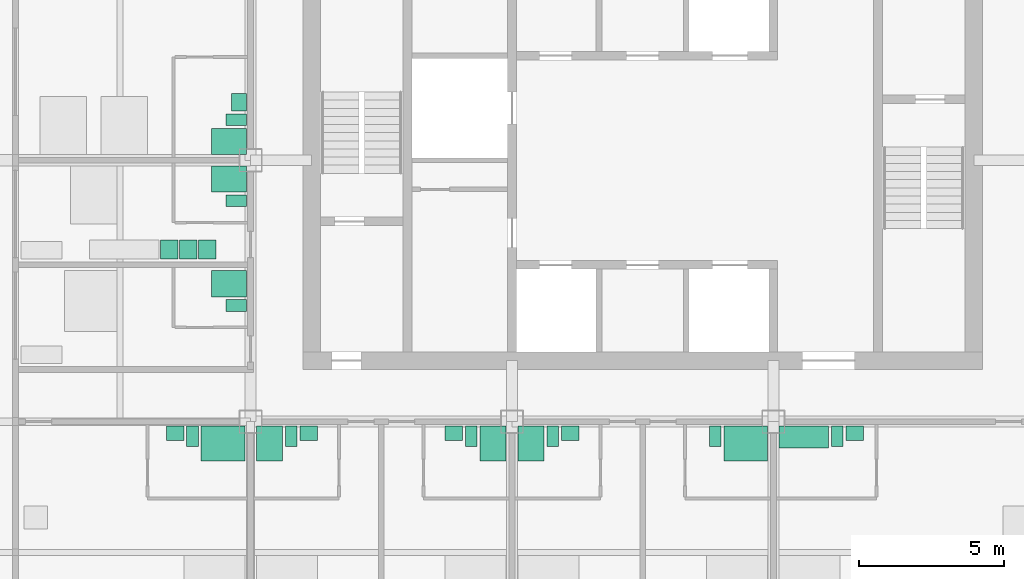
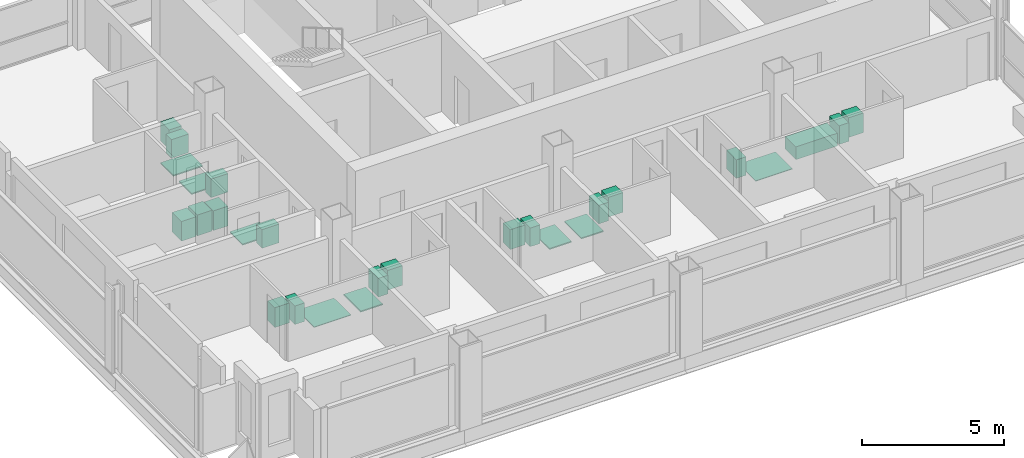
# One storey, part 11 of 12: 24 sanitary terminals, 3 electric appliances.
"""IFC4 building model written with IfcOpenShell, lengths in metres."""

from ifc_helpers import new_model, si_unit, direction, frame, origin, origin_2d, place, context, subcontext, project, spatial, rectangle, extrude, element, save


model = new_model("IFC4")

# Units and contexts
model_context = context("Model", 3, precision=1e-05, world=origin(), true_north=direction((0.0, 1.0)))
body_context = subcontext(model_context, "Body", "Model", "MODEL_VIEW")
ifc_project = project(units=[si_unit("LENGTHUNIT", "METRE"), si_unit("AREAUNIT", "SQUARE_METRE"), si_unit("VOLUMEUNIT", "CUBIC_METRE"), si_unit("PLANEANGLEUNIT", "RADIAN"), si_unit("MASSUNIT", "GRAM", prefix="KILO")], contexts=[model_context])

# Site, building, storey
site_placement = place(None, origin())
site = spatial("IfcSite", under=ifc_project, at=site_placement, CompositionType="ELEMENT")
building_placement = place(site_placement, origin())
building = spatial("IfcBuilding", under=site, at=building_placement, Name="Loomwork Tower", CompositionType="ELEMENT")
storey_placement = place(building_placement, frame((0.0, 0.0, 259.0)))
storey = spatial("IfcBuildingStorey", under=building, at=storey_placement, Name="L71", CompositionType="ELEMENT", Elevation=259.0)

# Sanitary terminals
sanitary_terminal_1_placement = place(storey_placement, frame((8.050048828125, 8.25, 0.0), z_axis=(0.0, 0.0, 1.0), x_axis=(1.0, 0.0, 0.0)))
element("IfcSanitaryTerminal", 1, at=sanitary_terminal_1_placement, inside=storey, Name="Roll-in shower floor L71", PredefinedType="SHOWER", context=body_context, shape_type="SweptSolid", body=[
    extrude(rectangle(XDim=1.5, YDim=1.199951171875, at=origin_2d()), origin(), (0.0, 0.0, 1.0), 0.030029296875),
])
sanitary_terminal_2_placement = place(storey_placement, frame((7.0, 8.5, 0.0), z_axis=(0.0, 0.0, 1.0), x_axis=(1.0, 0.0, 0.0)))
element("IfcSanitaryTerminal", 2, at=sanitary_terminal_2_placement, inside=storey, Name="WC L71", PredefinedType="TOILETPAN", context=body_context, shape_type="SweptSolid", body=[
    extrude(rectangle(XDim=0.39990234375, YDim=0.699951171875, at=origin_2d()), origin(), (0.0, 0.0, 1.0), 0.800048828125),
])
sanitary_terminal_3_placement = place(storey_placement, frame((6.39990234375, 8.60009765625, 0.0), z_axis=(0.0, 0.0, 1.0), x_axis=(1.0, 0.0, 0.0)))
element("IfcSanitaryTerminal", 3, at=sanitary_terminal_3_placement, inside=storey, Name="Basin vanity L71", PredefinedType="WASHHANDBASIN", context=body_context, shape_type="SweptSolid", body=[
    extrude(rectangle(XDim=0.60009765625, YDim=0.5, at=origin_2d()), origin(), (0.0, 0.0, 1.0), 0.85009765625),
])
sanitary_terminal_4_placement = place(storey_placement, frame((9.64990234375, 8.25, 0.0), z_axis=(0.0, 0.0, 1.0), x_axis=(1.0, 0.0, 0.0)))
element("IfcSanitaryTerminal", 4, at=sanitary_terminal_4_placement, inside=storey, Name="Shower tray L71", PredefinedType="SHOWER", context=body_context, shape_type="SweptSolid", body=[
    extrude(rectangle(XDim=0.89990234375, YDim=1.199951171875, at=origin_2d()), origin(), (0.0, 0.0, 1.0), 0.050048828125),
])
sanitary_terminal_5_placement = place(storey_placement, frame((10.39990234375, 8.5, 0.0), z_axis=(0.0, 0.0, 1.0), x_axis=(1.0, 0.0, 0.0)))
element("IfcSanitaryTerminal", 5, at=sanitary_terminal_5_placement, inside=storey, Name="WC L71", PredefinedType="TOILETPAN", context=body_context, shape_type="SweptSolid", body=[
    extrude(rectangle(XDim=0.39990234375, YDim=0.699951171875, at=origin_2d()), origin(), (0.0, 0.0, 1.0), 0.800048828125),
])
sanitary_terminal_6_placement = place(storey_placement, frame((11.0, 8.60009765625, 0.0), z_axis=(0.0, 0.0, 1.0), x_axis=(1.0, 0.0, 0.0)))
element("IfcSanitaryTerminal", 6, at=sanitary_terminal_6_placement, inside=storey, Name="Basin vanity L71", PredefinedType="WASHHANDBASIN", context=body_context, shape_type="SweptSolid", body=[
    extrude(rectangle(XDim=0.60009765625, YDim=0.5, at=origin_2d()), origin(), (0.0, 0.0, 1.0), 0.85009765625),
])
sanitary_terminal_7_placement = place(storey_placement, frame((17.35009765625, 8.25, 0.0), z_axis=(0.0, 0.0, 1.0), x_axis=(1.0, 0.0, 0.0)))
element("IfcSanitaryTerminal", 7, at=sanitary_terminal_7_placement, inside=storey, Name="Shower tray L71", PredefinedType="SHOWER", context=body_context, shape_type="SweptSolid", body=[
    extrude(rectangle(XDim=0.89990234375, YDim=1.199951171875, at=origin_2d()), origin(), (0.0, 0.0, 1.0), 0.050048828125),
])
sanitary_terminal_8_placement = place(storey_placement, frame((16.60009765625, 8.5, 0.0), z_axis=(0.0, 0.0, 1.0), x_axis=(1.0, 0.0, 0.0)))
element("IfcSanitaryTerminal", 8, at=sanitary_terminal_8_placement, inside=storey, Name="WC L71", PredefinedType="TOILETPAN", context=body_context, shape_type="SweptSolid", body=[
    extrude(rectangle(XDim=0.39990234375, YDim=0.699951171875, at=origin_2d()), origin(), (0.0, 0.0, 1.0), 0.800048828125),
])
sanitary_terminal_9_placement = place(storey_placement, frame((16.0, 8.60009765625, 0.0), z_axis=(0.0, 0.0, 1.0), x_axis=(1.0, 0.0, 0.0)))
element("IfcSanitaryTerminal", 9, at=sanitary_terminal_9_placement, inside=storey, Name="Basin vanity L71", PredefinedType="WASHHANDBASIN", context=body_context, shape_type="SweptSolid", body=[
    extrude(rectangle(XDim=0.60009765625, YDim=0.5, at=origin_2d()), origin(), (0.0, 0.0, 1.0), 0.85009765625),
])
sanitary_terminal_10_placement = place(storey_placement, frame((18.64990234375, 8.25, 0.0), z_axis=(0.0, 0.0, 1.0), x_axis=(1.0, 0.0, 0.0)))
element("IfcSanitaryTerminal", 10, at=sanitary_terminal_10_placement, inside=storey, Name="Shower tray L71", PredefinedType="SHOWER", context=body_context, shape_type="SweptSolid", body=[
    extrude(rectangle(XDim=0.89990234375, YDim=1.199951171875, at=origin_2d()), origin(), (0.0, 0.0, 1.0), 0.050048828125),
])
sanitary_terminal_11_placement = place(storey_placement, frame((19.39990234375, 8.5, 0.0), z_axis=(0.0, 0.0, 1.0), x_axis=(1.0, 0.0, 0.0)))
element("IfcSanitaryTerminal", 11, at=sanitary_terminal_11_placement, inside=storey, Name="WC L71", PredefinedType="TOILETPAN", context=body_context, shape_type="SweptSolid", body=[
    extrude(rectangle(XDim=0.39990234375, YDim=0.699951171875, at=origin_2d()), origin(), (0.0, 0.0, 1.0), 0.800048828125),
])
sanitary_terminal_12_placement = place(storey_placement, frame((20.0, 8.60009765625, 0.0), z_axis=(0.0, 0.0, 1.0), x_axis=(1.0, 0.0, 0.0)))
element("IfcSanitaryTerminal", 12, at=sanitary_terminal_12_placement, inside=storey, Name="Basin vanity L71", PredefinedType="WASHHANDBASIN", context=body_context, shape_type="SweptSolid", body=[
    extrude(rectangle(XDim=0.60009765625, YDim=0.5, at=origin_2d()), origin(), (0.0, 0.0, 1.0), 0.85009765625),
])
sanitary_terminal_13_placement = place(storey_placement, frame((26.050048828125, 8.25, 0.0), z_axis=(0.0, 0.0, 1.0), x_axis=(1.0, 0.0, 0.0)))
element("IfcSanitaryTerminal", 13, at=sanitary_terminal_13_placement, inside=storey, Name="Roll-in shower floor L71", PredefinedType="SHOWER", context=body_context, shape_type="SweptSolid", body=[
    extrude(rectangle(XDim=1.5, YDim=1.199951171875, at=origin_2d()), origin(), (0.0, 0.0, 1.0), 0.030029296875),
])
sanitary_terminal_14_placement = place(storey_placement, frame((25.0, 8.5, 0.0), z_axis=(0.0, 0.0, 1.0), x_axis=(1.0, 0.0, 0.0)))
element("IfcSanitaryTerminal", 14, at=sanitary_terminal_14_placement, inside=storey, Name="WC L71", PredefinedType="TOILETPAN", context=body_context, shape_type="SweptSolid", body=[
    extrude(rectangle(XDim=0.39990234375, YDim=0.699951171875, at=origin_2d()), origin(), (0.0, 0.0, 1.0), 0.800048828125),
])
sanitary_terminal_15_placement = place(storey_placement, frame((28.050048828125, 8.47509765625, 0.0), z_axis=(0.0, 0.0, 1.0), x_axis=(1.0, 0.0, 0.0)))
element("IfcSanitaryTerminal", 15, at=sanitary_terminal_15_placement, inside=storey, Name="Bath L71", PredefinedType="BATH", context=body_context, shape_type="SweptSolid", body=[
    extrude(rectangle(XDim=1.699951171875, YDim=0.75, at=origin_2d()), origin(), (0.0, 0.0, 1.0), 0.550048828125),
])
sanitary_terminal_16_placement = place(storey_placement, frame((29.199951171875, 8.5, 0.0), z_axis=(0.0, 0.0, 1.0), x_axis=(1.0, 0.0, 0.0)))
element("IfcSanitaryTerminal", 16, at=sanitary_terminal_16_placement, inside=storey, Name="WC L71", PredefinedType="TOILETPAN", context=body_context, shape_type="SweptSolid", body=[
    extrude(rectangle(XDim=0.39990234375, YDim=0.699951171875, at=origin_2d()), origin(), (0.0, 0.0, 1.0), 0.800048828125),
])
sanitary_terminal_17_placement = place(storey_placement, frame((29.800048828125, 8.60009765625, 0.0), z_axis=(0.0, 0.0, 1.0), x_axis=(1.0, 0.0, 0.0)))
element("IfcSanitaryTerminal", 17, at=sanitary_terminal_17_placement, inside=storey, Name="Basin vanity L71", PredefinedType="WASHHANDBASIN", context=body_context, shape_type="SweptSolid", body=[
    extrude(rectangle(XDim=0.60009765625, YDim=0.5, at=origin_2d()), origin(), (0.0, 0.0, 1.0), 0.85009765625),
])
sanitary_terminal_18_placement = place(storey_placement, frame((8.25, 13.75, 0.0), z_axis=(0.0, 0.0, 1.0), x_axis=(1.0, 0.0, 0.0)))
element("IfcSanitaryTerminal", 18, at=sanitary_terminal_18_placement, inside=storey, Name="Shower tray L71", PredefinedType="SHOWER", context=body_context, shape_type="SweptSolid", body=[
    extrude(rectangle(XDim=1.199951171875, YDim=0.89990234375, at=origin_2d()), origin(), (0.0, 0.0, 1.0), 0.050048828125),
])
sanitary_terminal_19_placement = place(storey_placement, frame((8.5, 13.0, 0.0), z_axis=(0.0, 0.0, 1.0), x_axis=(1.0, 0.0, 0.0)))
element("IfcSanitaryTerminal", 19, at=sanitary_terminal_19_placement, inside=storey, Name="WC L71", PredefinedType="TOILETPAN", context=body_context, shape_type="SweptSolid", body=[
    extrude(rectangle(XDim=0.699951171875, YDim=0.39990234375, at=origin_2d()), origin(), (0.0, 0.0, 1.0), 0.800048828125),
])
sanitary_terminal_20_placement = place(storey_placement, frame((8.25, 17.35009765625, 0.0), z_axis=(0.0, 0.0, 1.0), x_axis=(1.0, 0.0, 0.0)))
element("IfcSanitaryTerminal", 20, at=sanitary_terminal_20_placement, inside=storey, Name="Shower tray L71", PredefinedType="SHOWER", context=body_context, shape_type="SweptSolid", body=[
    extrude(rectangle(XDim=1.199951171875, YDim=0.89990234375, at=origin_2d()), origin(), (0.0, 0.0, 1.0), 0.050048828125),
])
sanitary_terminal_21_placement = place(storey_placement, frame((8.5, 16.60009765625, 0.0), z_axis=(0.0, 0.0, 1.0), x_axis=(1.0, 0.0, 0.0)))
element("IfcSanitaryTerminal", 21, at=sanitary_terminal_21_placement, inside=storey, Name="WC L71", PredefinedType="TOILETPAN", context=body_context, shape_type="SweptSolid", body=[
    extrude(rectangle(XDim=0.699951171875, YDim=0.39990234375, at=origin_2d()), origin(), (0.0, 0.0, 1.0), 0.800048828125),
])

# Electric appliances
electric_appliance_1_placement = place(storey_placement, frame((7.5, 14.925048828125, 0.0), z_axis=(0.0, 0.0, 1.0), x_axis=(1.0, 0.0, 0.0)))
element("IfcElectricAppliance", 22, at=electric_appliance_1_placement, inside=storey, Name="Refrigerator L71", PredefinedType="REFRIGERATOR", context=body_context, shape_type="SweptSolid", body=[
    extrude(rectangle(XDim=0.60009765625, YDim=0.64990234375, at=origin_2d()), origin(), (0.0, 0.0, 1.0), 0.85009765625),
])
electric_appliance_2_placement = place(storey_placement, frame((6.85009765625, 14.925048828125, 0.0), z_axis=(0.0, 0.0, 1.0), x_axis=(1.0, 0.0, 0.0)))
element("IfcElectricAppliance", 23, at=electric_appliance_2_placement, inside=storey, Name="Two-ring cooktop and oven L71", PredefinedType="ELECTRICCOOKER", context=body_context, shape_type="SweptSolid", body=[
    extrude(rectangle(XDim=0.60009765625, YDim=0.64990234375, at=origin_2d()), origin(), (0.0, 0.0, 1.0), 0.89990234375),
])
electric_appliance_3_placement = place(storey_placement, frame((6.199951171875, 14.925048828125, 0.0), z_axis=(0.0, 0.0, 1.0), x_axis=(1.0, 0.0, 0.0)))
element("IfcElectricAppliance", 24, at=electric_appliance_3_placement, inside=storey, Name="Dishwasher L71", PredefinedType="DISHWASHER", context=body_context, shape_type="SweptSolid", body=[
    extrude(rectangle(XDim=0.60009765625, YDim=0.64990234375, at=origin_2d()), origin(), (0.0, 0.0, 1.0), 0.85009765625),
])

# Sanitary terminals
sanitary_terminal_22_placement = place(storey_placement, frame((8.25, 18.64990234375, 0.0), z_axis=(0.0, 0.0, 1.0), x_axis=(1.0, 0.0, 0.0)))
element("IfcSanitaryTerminal", 25, at=sanitary_terminal_22_placement, inside=storey, Name="Shower tray L71", PredefinedType="SHOWER", context=body_context, shape_type="SweptSolid", body=[
    extrude(rectangle(XDim=1.199951171875, YDim=0.89990234375, at=origin_2d()), origin(), (0.0, 0.0, 1.0), 0.050048828125),
])
sanitary_terminal_23_placement = place(storey_placement, frame((8.5, 19.39990234375, 0.0), z_axis=(0.0, 0.0, 1.0), x_axis=(1.0, 0.0, 0.0)))
element("IfcSanitaryTerminal", 26, at=sanitary_terminal_23_placement, inside=storey, Name="WC L71", PredefinedType="TOILETPAN", context=body_context, shape_type="SweptSolid", body=[
    extrude(rectangle(XDim=0.699951171875, YDim=0.39990234375, at=origin_2d()), origin(), (0.0, 0.0, 1.0), 0.800048828125),
])
sanitary_terminal_24_placement = place(storey_placement, frame((8.60009765625, 20.0, 0.0), z_axis=(0.0, 0.0, 1.0), x_axis=(1.0, 0.0, 0.0)))
element("IfcSanitaryTerminal", 27, at=sanitary_terminal_24_placement, inside=storey, Name="Basin vanity L71", PredefinedType="WASHHANDBASIN", context=body_context, shape_type="SweptSolid", body=[
    extrude(rectangle(XDim=0.5, YDim=0.60009765625, at=origin_2d()), origin(), (0.0, 0.0, 1.0), 0.85009765625),
])

save(model, "model.ifc")
